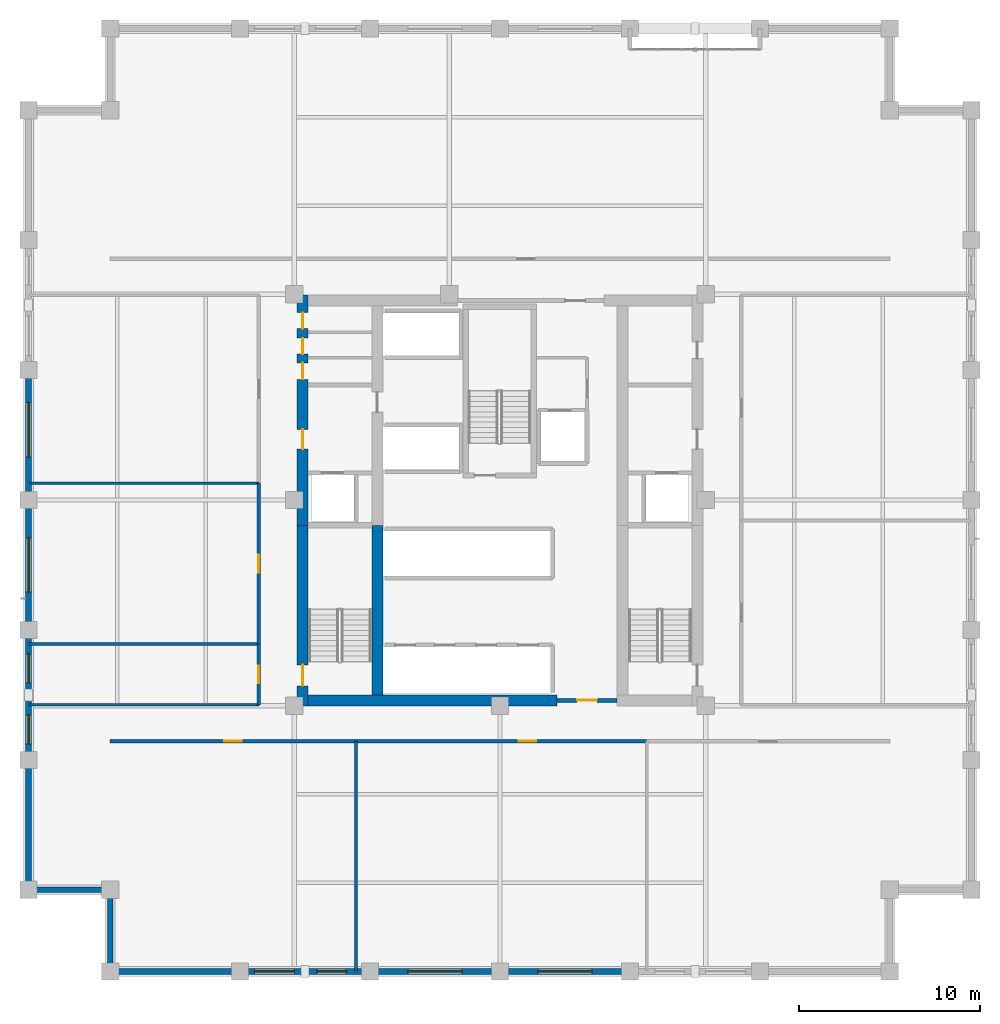
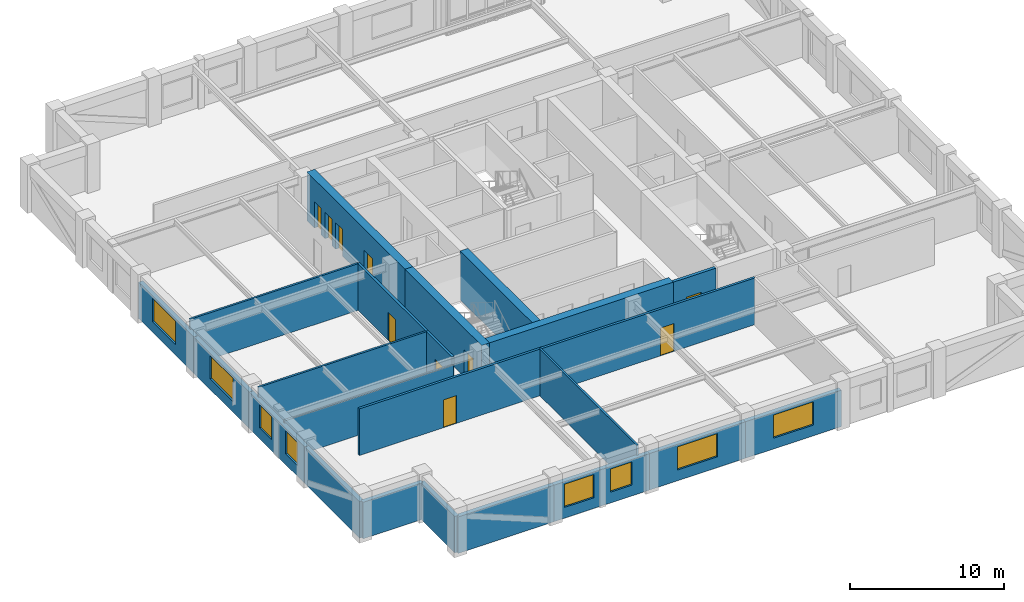
# One storey, part 6 of 11: 23 walls, 10 doors, 8 windows, 18 openings.
"""IFC4 building model written with IfcOpenShell, lengths in metres."""

from ifc_helpers import new_model, si_unit, direction, frame, frame_2d, origin, place, context, subcontext, project, spatial, rectangle, extrude, material, layer, layer_set, type_object, element, fill, save


model = new_model("IFC4")

# Units and contexts
model_context = context("Model", 3, precision=1e-05, world=origin(), true_north=direction((0.0, 1.0)))
body_context = subcontext(model_context, "Body", "Model", "MODEL_VIEW")
ifc_project = project(units=[si_unit("LENGTHUNIT", "METRE"), si_unit("AREAUNIT", "SQUARE_METRE"), si_unit("VOLUMEUNIT", "CUBIC_METRE"), si_unit("PLANEANGLEUNIT", "RADIAN"), si_unit("MASSUNIT", "GRAM", prefix="KILO")], contexts=[model_context])

# Site, building, storey
site_placement = place(None, origin())
site = spatial("IfcSite", under=ifc_project, at=site_placement, CompositionType="ELEMENT")
building_placement = place(site_placement, origin())
building = spatial("IfcBuilding", under=site, at=building_placement, Name="Nhamokura Convention Tower", CompositionType="ELEMENT")
storey_placement = place(building_placement, frame((0.0, 0.0, 141.39990234375)))
storey = spatial("IfcBuildingStorey", under=building, at=storey_placement, Name="L34", CompositionType="ELEMENT", Elevation=141.39990234375)

# Wall
ifc_material_1 = material(Name="Bronze-pigmented precast concrete C45/55", Category="concrete")
ifc_layer_1 = layer(ifc_material_1, 0.320068359375)
ifc_layer_set_1 = layer_set([ifc_layer_1], Name="BronzePrecastSpandrel_320")
wall_type_1 = type_object("IfcWallType", Name="BronzePrecastSpandrel_320", PredefinedType="USERDEFINED", material=ifc_layer_set_1)
wall_1_placement = place(storey_placement, frame((17.666748046875, 6.0, 0.0), z_axis=(0.0, 0.0, 1.0), x_axis=(-1.0, 0.0, 0.0)))
element("IfcWall", 1, at=wall_1_placement, inside=storey, type_object=wall_type_1, Name="L34 Braced-Bay Precast Wall SOUTH 0", ObjectType="SPANDREL_WALL", PredefinedType="USERDEFINED", context=body_context, shape_type="SweptSolid", body=[
    extrude(rectangle(XDim=7.166748046875, YDim=0.320068359375, at=frame_2d((3.58349609375, 0.0))), origin(), (0.0, 0.0, 1.0), 2.885009765625),
])

# Wall, openings, windows
wall_2_placement = place(storey_placement, frame((24.833251953125, 6.0, 0.0), z_axis=(0.0, 0.0, 1.0), x_axis=(-1.0, 0.0, 0.0)))
wall_2 = element("IfcWall", 2, at=wall_2_placement, inside=storey, type_object=wall_type_1, Name="L34 Masonry-Frame Wall SOUTH 1", ObjectType="SPANDREL_WALL", PredefinedType="USERDEFINED", context=body_context, shape_type="SweptSolid", body=[
    extrude(rectangle(XDim=7.16650390625, YDim=0.320068359375, at=frame_2d((3.583251953125, 0.0))), origin(), (0.0, 0.0, 1.0), 2.885009765625),
])
opening_1_placement = place(wall_2_placement, frame((1.316650390625, 0.0, 0.85009765625)))
opening_1 = element("IfcOpeningElement", 3, at=opening_1_placement, cuts=wall_2, Name="Opening W-11", PredefinedType="OPENING", context=body_context, shape_type="SweptSolid", body=[
    extrude(rectangle(XDim=1.60009765625, YDim=1.8349609375, at=frame_2d((0.800048828125, 0.91748046875))), frame((0.0, 0.169921875, 0.0), z_axis=(0.0, -1.0, 0.0), x_axis=(1.0, 0.0, 0.0)), (0.0, 0.0, 1.0), 0.340087890625),
])
opening_2_placement = place(wall_2_placement, frame((4.175048828125, 0.0, 0.85009765625)))
opening_2 = element("IfcOpeningElement", 4, at=opening_2_placement, cuts=wall_2, Name="Opening W-06", PredefinedType="OPENING", context=body_context, shape_type="SweptSolid", body=[
    extrude(rectangle(XDim=2.199951171875, YDim=1.8349609375, at=frame_2d((1.10009765625, 0.91748046875))), frame((0.0, 0.169921875, 0.0), z_axis=(0.0, -1.0, 0.0), x_axis=(1.0, 0.0, 0.0)), (0.0, 0.0, 1.0), 0.340087890625),
])
ifc_material_2 = material(Name="Solar-control bronze low-E double glass", Category="glass")
window_type_1 = type_object("IfcWindowType", Name="NotchCornerWindow_1600", PartitioningType="SINGLE_PANEL", PredefinedType="WINDOW", material=ifc_material_2)
window_1_placement = place(opening_1_placement, origin())
window_1 = element("IfcWindow", 5, at=window_1_placement, inside=storey, type_object=window_type_1, Name="L34 Facade Window SOUTH 1-1", OverallHeight=1.8349609375, OverallWidth=1.60009765625, PartitioningType="SINGLE_PANEL", PredefinedType="WINDOW", context=body_context, shape_type="SweptSolid", body=[
    extrude(rectangle(XDim=1.60009765625, YDim=1.8349609375, at=frame_2d((0.800048828125, 0.91748046875))), frame((0.0, 0.030029296875, 0.0), z_axis=(0.0, -1.0, 0.0), x_axis=(1.0, 0.0, 0.0)), (0.0, 0.0, 1.0), 0.06005859375),
])
fill(opening_1, window_1)
ifc_material_3 = material(Name="Solar-control bronze low-E double glass", Category="glass")
window_type_2 = type_object("IfcWindowType", Name="OfficeModuleWindow_Z2_2200", PartitioningType="SINGLE_PANEL", PredefinedType="WINDOW", material=ifc_material_3)
window_2_placement = place(opening_2_placement, origin())
window_2 = element("IfcWindow", 6, at=window_2_placement, inside=storey, type_object=window_type_2, Name="L34 Facade Window SOUTH 1-2", OverallHeight=1.8349609375, OverallWidth=2.199951171875, PartitioningType="SINGLE_PANEL", PredefinedType="WINDOW", context=body_context, shape_type="SweptSolid", body=[
    extrude(rectangle(XDim=2.199951171875, YDim=1.8349609375, at=frame_2d((1.10009765625, 0.91748046875))), frame((0.0, 0.030029296875, 0.0), z_axis=(0.0, -1.0, 0.0), x_axis=(1.0, 0.0, 0.0)), (0.0, 0.0, 1.0), 0.06005859375),
])
fill(opening_2, window_2)

# Wall, opening, window
wall_3_placement = place(storey_placement, frame((32.0, 6.0, 0.0), z_axis=(0.0, 0.0, 1.0), x_axis=(-1.0, 0.0, 0.0)))
wall_3 = element("IfcWall", 7, at=wall_3_placement, inside=storey, type_object=wall_type_1, Name="L34 Masonry-Frame Wall SOUTH 2", ObjectType="SPANDREL_WALL", PredefinedType="USERDEFINED", context=body_context, shape_type="SweptSolid", body=[
    extrude(rectangle(XDim=7.166748046875, YDim=0.320068359375, at=frame_2d((3.58349609375, 0.0))), origin(), (0.0, 0.0, 1.0), 2.885009765625),
])
opening_3_placement = place(wall_3_placement, frame((2.083251953125, 0.0, 0.85009765625)))
opening_3 = element("IfcOpeningElement", 8, at=opening_3_placement, cuts=wall_3, Name="Opening W-05", PredefinedType="OPENING", context=body_context, shape_type="SweptSolid", body=[
    extrude(rectangle(XDim=3.0, YDim=1.8349609375, at=frame_2d((1.5, 0.91748046875))), frame((0.0, 0.169921875, 0.0), z_axis=(0.0, -1.0, 0.0), x_axis=(1.0, 0.0, 0.0)), (0.0, 0.0, 1.0), 0.340087890625),
])
ifc_material_4 = material(Name="Solar-control bronze low-E double glass", Category="glass")
window_type_3 = type_object("IfcWindowType", Name="OfficeModuleWindow_Z2_3000", PartitioningType="DOUBLE_PANEL_VERTICAL", PredefinedType="WINDOW", material=ifc_material_4)
window_3_placement = place(opening_3_placement, origin())
window_3 = element("IfcWindow", 9, at=window_3_placement, inside=storey, type_object=window_type_3, Name="L34 Facade Window SOUTH 2", OverallHeight=1.8349609375, OverallWidth=3.0, PartitioningType="SINGLE_PANEL", PredefinedType="WINDOW", context=body_context, shape_type="SweptSolid", body=[
    extrude(rectangle(XDim=3.0, YDim=1.8349609375, at=frame_2d((1.5, 0.91748046875))), frame((0.0, 0.030029296875, 0.0), z_axis=(0.0, -1.0, 0.0), x_axis=(1.0, 0.0, 0.0)), (0.0, 0.0, 1.0), 0.06005859375),
])
fill(opening_3, window_3)

wall_4_placement = place(storey_placement, frame((39.166748046875, 6.0, 0.0), z_axis=(0.0, 0.0, 1.0), x_axis=(-1.0, 0.0, 0.0)))
wall_4 = element("IfcWall", 10, at=wall_4_placement, inside=storey, type_object=wall_type_1, Name="L34 Masonry-Frame Wall SOUTH 3", ObjectType="SPANDREL_WALL", PredefinedType="USERDEFINED", context=body_context, shape_type="SweptSolid", body=[
    extrude(rectangle(XDim=7.166748046875, YDim=0.320068359375, at=frame_2d((3.58349609375, 0.0))), origin(), (0.0, 0.0, 1.0), 2.885009765625),
])
opening_4_placement = place(wall_4_placement, frame((2.083251953125, 0.0, 0.85009765625)))
opening_4 = element("IfcOpeningElement", 11, at=opening_4_placement, cuts=wall_4, Name="Opening W-05", PredefinedType="OPENING", context=body_context, shape_type="SweptSolid", body=[
    extrude(rectangle(XDim=3.0, YDim=1.8349609375, at=frame_2d((1.5, 0.91748046875))), frame((0.0, 0.169921875, 0.0), z_axis=(0.0, -1.0, 0.0), x_axis=(1.0, 0.0, 0.0)), (0.0, 0.0, 1.0), 0.340087890625),
])
window_4_placement = place(opening_4_placement, origin())
window_4 = element("IfcWindow", 12, at=window_4_placement, inside=storey, type_object=window_type_3, Name="L34 Facade Window SOUTH 3", OverallHeight=1.8349609375, OverallWidth=3.0, PartitioningType="SINGLE_PANEL", PredefinedType="WINDOW", context=body_context, shape_type="SweptSolid", body=[
    extrude(rectangle(XDim=3.0, YDim=1.8349609375, at=frame_2d((1.5, 0.91748046875))), frame((0.0, 0.030029296875, 0.0), z_axis=(0.0, -1.0, 0.0), x_axis=(1.0, 0.0, 0.0)), (0.0, 0.0, 1.0), 0.06005859375),
])
fill(opening_4, window_4)

# Wall
wall_5_placement = place(storey_placement, frame((6.0, 10.5, 0.0), z_axis=(0.0, 0.0, 1.0), x_axis=(0.0, 1.0, 0.0)))
element("IfcWall", 13, at=wall_5_placement, inside=storey, type_object=wall_type_1, Name="L34 Braced-Bay Precast Wall WEST 0", ObjectType="SPANDREL_WALL", PredefinedType="USERDEFINED", context=body_context, shape_type="SweptSolid", body=[
    extrude(rectangle(XDim=7.166748046875, YDim=0.320068359375, at=frame_2d((3.58349609375, 0.0))), origin(), (0.0, 0.0, 1.0), 2.885009765625),
])

# Wall, openings, windows
wall_6_placement = place(storey_placement, frame((6.0, 17.666748046875, 0.0), z_axis=(0.0, 0.0, 1.0), x_axis=(0.0, 1.0, 0.0)))
wall_6 = element("IfcWall", 14, at=wall_6_placement, inside=storey, type_object=wall_type_1, Name="L34 Masonry-Frame Wall WEST 1", ObjectType="SPANDREL_WALL", PredefinedType="USERDEFINED", context=body_context, shape_type="SweptSolid", body=[
    extrude(rectangle(XDim=7.16650390625, YDim=0.320068359375, at=frame_2d((3.583251953125, 0.0))), origin(), (0.0, 0.0, 1.0), 2.885009765625),
])
opening_5_placement = place(wall_6_placement, frame((0.879150390625, 0.0, 0.85009765625)))
opening_5 = element("IfcOpeningElement", 15, at=opening_5_placement, cuts=wall_6, Name="Opening W-11", PredefinedType="OPENING", context=body_context, shape_type="SweptSolid", body=[
    extrude(rectangle(XDim=1.60009765625, YDim=1.8349609375, at=frame_2d((0.800048828125, 0.91748046875))), frame((0.0, 0.169921875, 0.0), z_axis=(0.0, -1.0, 0.0), x_axis=(1.0, 0.0, 0.0)), (0.0, 0.0, 1.0), 0.340087890625),
])
opening_6_placement = place(wall_6_placement, frame((4.25, 0.0, 0.85009765625)))
opening_6 = element("IfcOpeningElement", 16, at=opening_6_placement, cuts=wall_6, Name="Opening W-11", PredefinedType="OPENING", context=body_context, shape_type="SweptSolid", body=[
    extrude(rectangle(XDim=1.60009765625, YDim=1.8349609375, at=frame_2d((0.800048828125, 0.91748046875))), frame((0.0, 0.169921875, 0.0), z_axis=(0.0, -1.0, 0.0), x_axis=(1.0, 0.0, 0.0)), (0.0, 0.0, 1.0), 0.340087890625),
])
window_5_placement = place(opening_5_placement, origin())
window_5 = element("IfcWindow", 17, at=window_5_placement, inside=storey, type_object=window_type_1, Name="L34 Facade Window WEST 1-1", OverallHeight=1.8349609375, OverallWidth=1.60009765625, PartitioningType="SINGLE_PANEL", PredefinedType="WINDOW", context=body_context, shape_type="SweptSolid", body=[
    extrude(rectangle(XDim=1.60009765625, YDim=1.8349609375, at=frame_2d((0.800048828125, 0.91748046875))), frame((0.0, 0.030029296875, 0.0), z_axis=(0.0, -1.0, 0.0), x_axis=(1.0, 0.0, 0.0)), (0.0, 0.0, 1.0), 0.06005859375),
])
fill(opening_5, window_5)
window_6_placement = place(opening_6_placement, origin())
window_6 = element("IfcWindow", 18, at=window_6_placement, inside=storey, type_object=window_type_1, Name="L34 Facade Window WEST 1-2", OverallHeight=1.8349609375, OverallWidth=1.60009765625, PartitioningType="SINGLE_PANEL", PredefinedType="WINDOW", context=body_context, shape_type="SweptSolid", body=[
    extrude(rectangle(XDim=1.60009765625, YDim=1.8349609375, at=frame_2d((0.800048828125, 0.91748046875))), frame((0.0, 0.030029296875, 0.0), z_axis=(0.0, -1.0, 0.0), x_axis=(1.0, 0.0, 0.0)), (0.0, 0.0, 1.0), 0.06005859375),
])
fill(opening_6, window_6)

# Wall, opening, window
wall_7_placement = place(storey_placement, frame((6.0, 24.833251953125, 0.0), z_axis=(0.0, 0.0, 1.0), x_axis=(0.0, 1.0, 0.0)))
wall_7 = element("IfcWall", 19, at=wall_7_placement, inside=storey, type_object=wall_type_1, Name="L34 Masonry-Frame Wall WEST 2", ObjectType="SPANDREL_WALL", PredefinedType="USERDEFINED", context=body_context, shape_type="SweptSolid", body=[
    extrude(rectangle(XDim=7.166748046875, YDim=0.320068359375, at=frame_2d((3.58349609375, 0.0))), origin(), (0.0, 0.0, 1.0), 2.885009765625),
])
opening_7_placement = place(wall_7_placement, frame((2.083251953125, 0.0, 0.85009765625)))
opening_7 = element("IfcOpeningElement", 20, at=opening_7_placement, cuts=wall_7, Name="Opening W-05", PredefinedType="OPENING", context=body_context, shape_type="SweptSolid", body=[
    extrude(rectangle(XDim=3.0, YDim=1.8349609375, at=frame_2d((1.5, 0.91748046875))), frame((0.0, 0.169921875, 0.0), z_axis=(0.0, -1.0, 0.0), x_axis=(1.0, 0.0, 0.0)), (0.0, 0.0, 1.0), 0.340087890625),
])
window_7_placement = place(opening_7_placement, origin())
window_7 = element("IfcWindow", 21, at=window_7_placement, inside=storey, type_object=window_type_3, Name="L34 Facade Window WEST 2", OverallHeight=1.8349609375, OverallWidth=3.0, PartitioningType="SINGLE_PANEL", PredefinedType="WINDOW", context=body_context, shape_type="SweptSolid", body=[
    extrude(rectangle(XDim=3.0, YDim=1.8349609375, at=frame_2d((1.5, 0.91748046875))), frame((0.0, 0.030029296875, 0.0), z_axis=(0.0, -1.0, 0.0), x_axis=(1.0, 0.0, 0.0)), (0.0, 0.0, 1.0), 0.06005859375),
])
fill(opening_7, window_7)

wall_8_placement = place(storey_placement, frame((6.0, 32.0, 0.0), z_axis=(0.0, 0.0, 1.0), x_axis=(0.0, 1.0, 0.0)))
wall_8 = element("IfcWall", 22, at=wall_8_placement, inside=storey, type_object=wall_type_1, Name="L34 Masonry-Frame Wall WEST 3", ObjectType="SPANDREL_WALL", PredefinedType="USERDEFINED", context=body_context, shape_type="SweptSolid", body=[
    extrude(rectangle(XDim=7.166748046875, YDim=0.320068359375, at=frame_2d((3.58349609375, 0.0))), origin(), (0.0, 0.0, 1.0), 2.885009765625),
])
opening_8_placement = place(wall_8_placement, frame((2.38330078125, 0.0, 0.85009765625)))
opening_8 = element("IfcOpeningElement", 23, at=opening_8_placement, cuts=wall_8, Name="Opening W-05", PredefinedType="OPENING", context=body_context, shape_type="SweptSolid", body=[
    extrude(rectangle(XDim=3.0, YDim=1.8349609375, at=frame_2d((1.5, 0.91748046875))), frame((0.0, 0.169921875, 0.0), z_axis=(0.0, -1.0, 0.0), x_axis=(1.0, 0.0, 0.0)), (0.0, 0.0, 1.0), 0.340087890625),
])
window_8_placement = place(opening_8_placement, origin())
window_8 = element("IfcWindow", 24, at=window_8_placement, inside=storey, type_object=window_type_3, Name="L34 Facade Window WEST 3", OverallHeight=1.8349609375, OverallWidth=3.0, PartitioningType="SINGLE_PANEL", PredefinedType="WINDOW", context=body_context, shape_type="SweptSolid", body=[
    extrude(rectangle(XDim=3.0, YDim=1.8349609375, at=frame_2d((1.5, 0.91748046875))), frame((0.0, 0.030029296875, 0.0), z_axis=(0.0, -1.0, 0.0), x_axis=(1.0, 0.0, 0.0)), (0.0, 0.0, 1.0), 0.06005859375),
])
fill(opening_8, window_8)

# Walls
for number, where, z_axis, x_axis, name in (
    (25, (10.5, 6.0, 0.0), (0.0, 0.0, 1.0), (0.0, 1.0, 0.0), "L34 Notched Corner Wall SW1"),
    (26, (10.5, 10.5, 0.0), (0.0, 0.0, 1.0), (-1.0, 0.0, 0.0), "L34 Notched Corner Wall SW2"),
):
    element("IfcWall", number, at=place(storey_placement, frame(where, z_axis=z_axis, x_axis=x_axis)), inside=storey, type_object=wall_type_1, Name=name, ObjectType="SPANDREL_WALL", PredefinedType="USERDEFINED", context=body_context, shape_type="SweptSolid", body=[
        extrude(rectangle(XDim=4.5, YDim=0.320068359375, at=frame_2d((2.25, 0.0))), origin(), (0.0, 0.0, 1.0), 2.885009765625),
    ])

# Wall, opening, door
ifc_material_5 = material(Name="Concrete C60/75", Category="concrete")
ifc_layer_2 = layer(ifc_material_5, 0.60009765625)
ifc_layer_set_2 = layer_set([ifc_layer_2], Name="CoreShearWall_600")
wall_type_2 = type_object("IfcWallType", Name="CoreShearWall_600", PredefinedType="SHEAR", material=ifc_layer_set_2)
wall_9_placement = place(storey_placement, frame((21.110107421875, 20.64990234375, 0.0), z_axis=(0.0, 0.0, 1.0), x_axis=(0.0, 1.0, 0.0)))
wall_9 = element("IfcWall", 27, at=wall_9_placement, inside=storey, type_object=wall_type_2, Name="L34 Core Shear Wall CW-WS", PredefinedType="SHEAR", context=body_context, shape_type="SweptSolid", body=[
    extrude(rectangle(XDim=9.9501953125, YDim=0.60009765625, at=frame_2d((4.97509765625, 0.0))), origin(), (0.0, 0.0, 1.0), 3.85009765625),
])
opening_9_placement = place(wall_9_placement, frame((1.10009765625, 0.0, 0.0)))
opening_9 = element("IfcOpeningElement", 28, at=opening_9_placement, cuts=wall_9, Name="Opening D-04", PredefinedType="OPENING", context=body_context, shape_type="SweptSolid", body=[
    extrude(rectangle(XDim=1.14990234375, YDim=2.14990234375, at=frame_2d((0.574951171875, 1.074951171875))), frame((0.0, 0.31005859375, 0.0), z_axis=(0.0, -1.0, 0.0), x_axis=(1.0, 0.0, 0.0)), (0.0, 0.0, 1.0), 0.6201171875),
])
ifc_material_6 = material(Name="Fire-rated steel door", Category="steel")
door_type_1 = type_object("IfcDoorType", Name="StairSmokeDoor_1150", OperationType="NOTDEFINED", PredefinedType="DOOR", material=ifc_material_6)
door_1_placement = place(opening_9_placement, origin())
door_1 = element("IfcDoor", 29, at=door_1_placement, inside=storey, type_object=door_type_1, Name="L34 Core Door INT-L34-D-ST01", OperationType="SINGLE_SWING_LEFT", OverallHeight=2.14990234375, OverallWidth=1.14990234375, PredefinedType="DOOR", context=body_context, shape_type="SweptSolid", body=[
    extrude(rectangle(XDim=1.14990234375, YDim=2.14990234375, at=frame_2d((0.574951171875, 1.074951171875))), frame((0.0, 0.02490234375, 0.0), z_axis=(0.0, -1.0, 0.0), x_axis=(1.0, 0.0, 0.0)), (0.0, 0.0, 1.0), 0.050048828125),
])
fill(opening_9, door_1)

# Wall, openings, doors
wall_10_placement = place(storey_placement, frame((21.110107421875, 30.60009765625, 0.0), z_axis=(0.0, 0.0, 1.0), x_axis=(0.0, 1.0, 0.0)))
wall_10 = element("IfcWall", 30, at=wall_10_placement, inside=storey, type_object=wall_type_2, Name="L34 Core Shear Wall CW-WN", PredefinedType="SHEAR", context=body_context, shape_type="SweptSolid", body=[
    extrude(rectangle(XDim=12.699951171875, YDim=0.60009765625, at=frame_2d((6.35009765625, 0.0))), origin(), (0.0, 0.0, 1.0), 3.85009765625),
])
opening_10_placement = place(wall_10_placement, frame((4.199951171875, 0.0, 0.0)))
opening_10 = element("IfcOpeningElement", 31, at=opening_10_placement, cuts=wall_10, Name="Opening D-05", PredefinedType="OPENING", context=body_context, shape_type="SweptSolid", body=[
    extrude(rectangle(XDim=1.10009765625, YDim=2.14990234375, at=frame_2d((0.550048828125, 1.074951171875))), frame((0.0, 0.31005859375, 0.0), z_axis=(0.0, -1.0, 0.0), x_axis=(1.0, 0.0, 0.0)), (0.0, 0.0, 1.0), 0.6201171875),
])
opening_11_placement = place(wall_10_placement, frame((8.050048828125, 0.0, 0.0)))
opening_11 = element("IfcOpeningElement", 32, at=opening_11_placement, cuts=wall_10, Name="Opening D-10", PredefinedType="OPENING", context=body_context, shape_type="SweptSolid", body=[
    extrude(rectangle(XDim=0.919921875, YDim=2.10009765625, at=frame_2d((0.4599609375, 1.050048828125))), frame((0.0, 0.31005859375, 0.0), z_axis=(0.0, -1.0, 0.0), x_axis=(1.0, 0.0, 0.0)), (0.0, 0.0, 1.0), 0.6201171875),
])
opening_12_placement = place(wall_10_placement, frame((9.449951171875, 0.0, 0.0)))
opening_12 = element("IfcOpeningElement", 33, at=opening_12_placement, cuts=wall_10, Name="Opening D-11", PredefinedType="OPENING", context=body_context, shape_type="SweptSolid", body=[
    extrude(rectangle(XDim=0.8798828125, YDim=2.10009765625, at=frame_2d((0.43994140625, 1.050048828125))), frame((0.0, 0.31005859375, 0.0), z_axis=(0.0, -1.0, 0.0), x_axis=(1.0, 0.0, 0.0)), (0.0, 0.0, 1.0), 0.6201171875),
])
opening_13_placement = place(wall_10_placement, frame((10.85009765625, 0.0, 0.0)))
opening_13 = element("IfcOpeningElement", 34, at=opening_13_placement, cuts=wall_10, Name="Opening D-11", PredefinedType="OPENING", context=body_context, shape_type="SweptSolid", body=[
    extrude(rectangle(XDim=0.8798828125, YDim=2.10009765625, at=frame_2d((0.43994140625, 1.050048828125))), frame((0.0, 0.31005859375, 0.0), z_axis=(0.0, -1.0, 0.0), x_axis=(1.0, 0.0, 0.0)), (0.0, 0.0, 1.0), 0.6201171875),
])
ifc_material_7 = material(Name="Solid oak hardwood", Category="wood")
door_type_2 = type_object("IfcDoorType", Name="AccessibleWCDoor_920", OperationType="NOTDEFINED", PredefinedType="DOOR", material=ifc_material_7)
door_2_placement = place(opening_11_placement, origin())
door_2 = element("IfcDoor", 35, at=door_2_placement, inside=storey, type_object=door_type_2, Name="L34 Core Door INT-L34-D-AWC", OperationType="SINGLE_SWING_LEFT", OverallHeight=2.10009765625, OverallWidth=0.919921875, PredefinedType="DOOR", context=body_context, shape_type="SweptSolid", body=[
    extrude(rectangle(XDim=0.919921875, YDim=2.10009765625, at=frame_2d((0.4599609375, 1.050048828125))), frame((0.0, 0.02490234375, 0.0), z_axis=(0.0, -1.0, 0.0), x_axis=(1.0, 0.0, 0.0)), (0.0, 0.0, 1.0), 0.050048828125),
])
fill(opening_11, door_2)
ifc_material_8 = material(Name="Solid oak hardwood", Category="wood")
door_type_3 = type_object("IfcDoorType", Name="BathroomDoor_880", OperationType="NOTDEFINED", PredefinedType="DOOR", material=ifc_material_8)
door_3_placement = place(opening_12_placement, origin())
door_3 = element("IfcDoor", 36, at=door_3_placement, inside=storey, type_object=door_type_3, Name="L34 Core Door INT-L34-D-CLN", OperationType="SINGLE_SWING_RIGHT", OverallHeight=2.10009765625, OverallWidth=0.8798828125, PredefinedType="DOOR", context=body_context, shape_type="SweptSolid", body=[
    extrude(rectangle(XDim=0.8798828125, YDim=2.10009765625, at=frame_2d((0.43994140625, 1.050048828125))), frame((0.0, 0.02490234375, 0.0), z_axis=(0.0, -1.0, 0.0), x_axis=(1.0, 0.0, 0.0)), (0.0, 0.0, 1.0), 0.050048828125),
])
fill(opening_12, door_3)
door_4_placement = place(opening_13_placement, origin())
door_4 = element("IfcDoor", 37, at=door_4_placement, inside=storey, type_object=door_type_3, Name="L34 Core Door INT-L34-D-PNT", OperationType="SINGLE_SWING_LEFT", OverallHeight=2.10009765625, OverallWidth=0.8798828125, PredefinedType="DOOR", context=body_context, shape_type="SweptSolid", body=[
    extrude(rectangle(XDim=0.8798828125, YDim=2.10009765625, at=frame_2d((0.43994140625, 1.050048828125))), frame((0.0, 0.02490234375, 0.0), z_axis=(0.0, -1.0, 0.0), x_axis=(1.0, 0.0, 0.0)), (0.0, 0.0, 1.0), 0.050048828125),
])
fill(opening_13, door_4)
ifc_material_9 = material(Name="Fire-rated steel door", Category="steel")
door_type_4 = type_object("IfcDoorType", Name="FireLobbyDoor_1100", OperationType="NOTDEFINED", PredefinedType="DOOR", material=ifc_material_9)
door_5_placement = place(opening_10_placement, origin())
door_5 = element("IfcDoor", 38, at=door_5_placement, inside=storey, type_object=door_type_4, Name="L34 Core Door INT-L34-D-FFLW", OperationType="SINGLE_SWING_RIGHT", OverallHeight=2.14990234375, OverallWidth=1.10009765625, PredefinedType="DOOR", context=body_context, shape_type="SweptSolid", body=[
    extrude(rectangle(XDim=1.10009765625, YDim=2.14990234375, at=frame_2d((0.550048828125, 1.074951171875))), frame((0.0, 0.02490234375, 0.0), z_axis=(0.0, -1.0, 0.0), x_axis=(1.0, 0.0, 0.0)), (0.0, 0.0, 1.0), 0.050048828125),
])
fill(opening_10, door_5)

# Walls
wall_11_placement = place(storey_placement, frame((21.409912109375, 20.949951171875, 0.0), z_axis=(0.0, 0.0, 1.0), x_axis=(1.0, 0.0, 0.0)))
element("IfcWall", 39, at=wall_11_placement, inside=storey, type_object=wall_type_2, Name="L34 Core Shear Wall CW-S1", PredefinedType="SHEAR", context=body_context, shape_type="SweptSolid", body=[
    extrude(rectangle(XDim=13.739990234375, YDim=0.60009765625, at=frame_2d((6.8701171875, 0.0))), origin(), (0.0, 0.0, 1.0), 3.85009765625),
])
wall_12_placement = place(storey_placement, frame((25.239990234375, 21.25, 0.0), z_axis=(0.0, 0.0, 1.0), x_axis=(0.0, 1.0, 0.0)))
element("IfcWall", 40, at=wall_12_placement, inside=storey, type_object=wall_type_2, Name="L34 Core Shear Wall CW-IWS", PredefinedType="SHEAR", context=body_context, shape_type="SweptSolid", body=[
    extrude(rectangle(XDim=9.35009765625, YDim=0.60009765625, at=frame_2d((4.675048828125, 0.0))), origin(), (0.0, 0.0, 1.0), 3.85009765625),
])

# Wall, opening, door
ifc_material_10 = material(Name="Fire-rated gypsum and masonry partition", Category="masonry")
ifc_layer_3 = layer(ifc_material_10, 0.179931640625)
ifc_layer_set_3 = layer_set([ifc_layer_3], Name="CorridorRatedWall_180")
wall_type_3 = type_object("IfcWallType", Name="CorridorRatedWall_180", PredefinedType="STANDARD", material=ifc_layer_set_3)
wall_13_placement = place(storey_placement, frame((10.5, 18.699951171875, 0.0), z_axis=(0.0, 0.0, 1.0), x_axis=(1.0, 0.0, 0.0)))
wall_13 = element("IfcWall", 41, at=wall_13_placement, inside=storey, type_object=wall_type_3, Name="L34 Wall INT-L34-CW-S00", PredefinedType="STANDARD", context=body_context, shape_type="SweptSolid", body=[
    extrude(rectangle(XDim=13.558349609375, YDim=0.179931640625, at=frame_2d((6.779296875, 0.0))), origin(), (0.0, 0.0, 1.0), 3.68505859375),
])
opening_14_placement = place(wall_13_placement, frame((6.279296875, 0.0, 0.0)))
opening_14 = element("IfcOpeningElement", 42, at=opening_14_placement, cuts=wall_13, Name="Opening D-08", PredefinedType="OPENING", context=body_context, shape_type="SweptSolid", body=[
    extrude(rectangle(XDim=0.97998046875, YDim=2.199951171875, at=frame_2d((0.489990234375, 1.10009765625))), frame((0.0, 0.099853515625, 0.0), z_axis=(0.0, -1.0, 0.0), x_axis=(1.0, 0.0, 0.0)), (0.0, 0.0, 1.0), 0.199951171875),
])
ifc_material_11 = material(Name="Solid oak hardwood", Category="wood")
door_type_5 = type_object("IfcDoorType", Name="OfficeEntryDoor_980", OperationType="NOTDEFINED", PredefinedType="DOOR", material=ifc_material_11)
door_6_placement = place(opening_14_placement, origin())
door_6 = element("IfcDoor", 43, at=door_6_placement, inside=storey, type_object=door_type_5, Name="L34 Training Classroom S01 Door", OperationType="SINGLE_SWING_LEFT", OverallHeight=2.199951171875, OverallWidth=0.97998046875, PredefinedType="DOOR", context=body_context, shape_type="SweptSolid", body=[
    extrude(rectangle(XDim=0.97998046875, YDim=2.199951171875, at=frame_2d((0.489990234375, 1.10009765625))), frame((0.0, 0.02490234375, 0.0), z_axis=(0.0, -1.0, 0.0), x_axis=(1.0, 0.0, 0.0)), (0.0, 0.0, 1.0), 0.050048828125),
])
fill(opening_14, door_6)

wall_14_placement = place(storey_placement, frame((24.058349609375, 18.699951171875, 0.0), z_axis=(0.0, 0.0, 1.0), x_axis=(1.0, 0.0, 0.0)))
wall_14 = element("IfcWall", 44, at=wall_14_placement, inside=storey, type_object=wall_type_3, Name="L34 Wall INT-L34-CW-S01", PredefinedType="STANDARD", context=body_context, shape_type="SweptSolid", body=[
    extrude(rectangle(XDim=16.033447265625, YDim=0.179931640625, at=frame_2d((8.0166015625, 0.0))), origin(), (0.0, 0.0, 1.0), 3.68505859375),
])
opening_15_placement = place(wall_14_placement, frame((8.966796875, 0.0, 0.0)))
opening_15 = element("IfcOpeningElement", 45, at=opening_15_placement, cuts=wall_14, Name="Opening D-08", PredefinedType="OPENING", context=body_context, shape_type="SweptSolid", body=[
    extrude(rectangle(XDim=0.97998046875, YDim=2.199951171875, at=frame_2d((0.489990234375, 1.10009765625))), frame((0.0, 0.099853515625, 0.0), z_axis=(0.0, -1.0, 0.0), x_axis=(1.0, 0.0, 0.0)), (0.0, 0.0, 1.0), 0.199951171875),
])
door_7_placement = place(opening_15_placement, origin())
door_7 = element("IfcDoor", 46, at=door_7_placement, inside=storey, type_object=door_type_5, Name="L34 Training Classroom S02 Door", OperationType="SINGLE_SWING_RIGHT", OverallHeight=2.199951171875, OverallWidth=0.97998046875, PredefinedType="DOOR", context=body_context, shape_type="SweptSolid", body=[
    extrude(rectangle(XDim=0.97998046875, YDim=2.199951171875, at=frame_2d((0.489990234375, 1.10009765625))), frame((0.0, 0.02490234375, 0.0), z_axis=(0.0, -1.0, 0.0), x_axis=(1.0, 0.0, 0.0)), (0.0, 0.0, 1.0), 0.050048828125),
])
fill(opening_15, door_7)

wall_15_placement = place(storey_placement, frame((18.699951171875, 20.699951171875, 0.0), z_axis=(0.0, 0.0, 1.0), x_axis=(0.0, 1.0, 0.0)))
wall_15 = element("IfcWall", 47, at=wall_15_placement, inside=storey, type_object=wall_type_3, Name="L34 Wall INT-L34-CW-W00", PredefinedType="STANDARD", context=body_context, shape_type="SweptSolid", body=[
    extrude(rectangle(XDim=3.3583984375, YDim=0.179931640625, at=frame_2d((1.67919921875, 0.0))), origin(), (0.0, 0.0, 1.0), 3.68505859375),
])
opening_16_placement = place(wall_15_placement, frame((1.17919921875, 0.0, 0.0)))
opening_16 = element("IfcOpeningElement", 48, at=opening_16_placement, cuts=wall_15, Name="Opening D-08", PredefinedType="OPENING", context=body_context, shape_type="SweptSolid", body=[
    extrude(rectangle(XDim=0.97998046875, YDim=2.199951171875, at=frame_2d((0.489990234375, 1.10009765625))), frame((0.0, 0.099853515625, 0.0), z_axis=(0.0, -1.0, 0.0), x_axis=(1.0, 0.0, 0.0)), (0.0, 0.0, 1.0), 0.199951171875),
])
door_8_placement = place(opening_16_placement, origin())
door_8 = element("IfcDoor", 49, at=door_8_placement, inside=storey, type_object=door_type_5, Name="L34 Computer Laboratory W01 Door", OperationType="SINGLE_SWING_LEFT", OverallHeight=2.199951171875, OverallWidth=0.97998046875, PredefinedType="DOOR", context=body_context, shape_type="SweptSolid", body=[
    extrude(rectangle(XDim=0.97998046875, YDim=2.199951171875, at=frame_2d((0.489990234375, 1.10009765625))), frame((0.0, 0.02490234375, 0.0), z_axis=(0.0, -1.0, 0.0), x_axis=(1.0, 0.0, 0.0)), (0.0, 0.0, 1.0), 0.050048828125),
])
fill(opening_16, door_8)

wall_16_placement = place(storey_placement, frame((18.699951171875, 24.058349609375, 0.0), z_axis=(0.0, 0.0, 1.0), x_axis=(0.0, 1.0, 0.0)))
wall_16 = element("IfcWall", 50, at=wall_16_placement, inside=storey, type_object=wall_type_3, Name="L34 Wall INT-L34-CW-W01", PredefinedType="STANDARD", context=body_context, shape_type="SweptSolid", body=[
    extrude(rectangle(XDim=8.86669921875, YDim=0.179931640625, at=frame_2d((4.433349609375, 0.0))), origin(), (0.0, 0.0, 1.0), 3.68505859375),
])
opening_17_placement = place(wall_16_placement, frame((3.933349609375, 0.0, 0.0)))
opening_17 = element("IfcOpeningElement", 51, at=opening_17_placement, cuts=wall_16, Name="Opening D-08", PredefinedType="OPENING", context=body_context, shape_type="SweptSolid", body=[
    extrude(rectangle(XDim=0.97998046875, YDim=2.199951171875, at=frame_2d((0.489990234375, 1.10009765625))), frame((0.0, 0.099853515625, 0.0), z_axis=(0.0, -1.0, 0.0), x_axis=(1.0, 0.0, 0.0)), (0.0, 0.0, 1.0), 0.199951171875),
])
door_9_placement = place(opening_17_placement, origin())
door_9 = element("IfcDoor", 52, at=door_9_placement, inside=storey, type_object=door_type_5, Name="L34 Meeting Room W02 Door", OperationType="SINGLE_SWING_RIGHT", OverallHeight=2.199951171875, OverallWidth=0.97998046875, PredefinedType="DOOR", context=body_context, shape_type="SweptSolid", body=[
    extrude(rectangle(XDim=0.97998046875, YDim=2.199951171875, at=frame_2d((0.489990234375, 1.10009765625))), frame((0.0, 0.02490234375, 0.0), z_axis=(0.0, -1.0, 0.0), x_axis=(1.0, 0.0, 0.0)), (0.0, 0.0, 1.0), 0.050048828125),
])
fill(opening_17, door_9)

ifc_material_12 = material(Name="Autoclaved concrete blockwork", Category="masonry")
ifc_layer_4 = layer(ifc_material_12, 0.219970703125)
ifc_layer_set_4 = layer_set([ifc_layer_4], Name="FireLobbyWall_220")
wall_type_4 = type_object("IfcWallType", Name="FireLobbyWall_220", PredefinedType="STANDARD", material=ifc_layer_set_4)
wall_17_placement = place(storey_placement, frame((35.14990234375, 20.949951171875, 0.0), z_axis=(0.0, 0.0, 1.0), x_axis=(1.0, 0.0, 0.0)))
wall_17 = element("IfcWall", 53, at=wall_17_placement, inside=storey, type_object=wall_type_4, Name="L34 Wall INT-L34-SPORT-S", PredefinedType="STANDARD", context=body_context, shape_type="SweptSolid", body=[
    extrude(rectangle(XDim=3.300048828125, YDim=0.219970703125, at=frame_2d((1.64990234375, 0.0))), origin(), (0.0, 0.0, 1.0), 3.68505859375),
])
opening_18_placement = place(wall_17_placement, frame((1.10009765625, 0.0, 0.0)))
opening_18 = element("IfcOpeningElement", 54, at=opening_18_placement, cuts=wall_17, Name="Opening D-05", PredefinedType="OPENING", context=body_context, shape_type="SweptSolid", body=[
    extrude(rectangle(XDim=1.10009765625, YDim=2.14990234375, at=frame_2d((0.550048828125, 1.074951171875))), frame((0.0, 0.119873046875, 0.0), z_axis=(0.0, -1.0, 0.0), x_axis=(1.0, 0.0, 0.0)), (0.0, 0.0, 1.0), 0.239990234375),
])
door_10_placement = place(opening_18_placement, origin())
door_10 = element("IfcDoor", 55, at=door_10_placement, inside=storey, type_object=door_type_4, Name="L34 South Core Lobby Portal Door", OperationType="SINGLE_SWING_LEFT", OverallHeight=2.14990234375, OverallWidth=1.10009765625, PredefinedType="DOOR", context=body_context, shape_type="SweptSolid", body=[
    extrude(rectangle(XDim=1.10009765625, YDim=2.14990234375, at=frame_2d((0.550048828125, 1.074951171875))), frame((0.0, 0.02490234375, 0.0), z_axis=(0.0, -1.0, 0.0), x_axis=(1.0, 0.0, 0.0)), (0.0, 0.0, 1.0), 0.050048828125),
])
fill(opening_18, door_10)

# Walls
ifc_material_13 = material(Name="Acoustic gypsum stud partition", Category="masonry")
ifc_layer_5 = layer(ifc_material_13, 0.14990234375)
ifc_layer_set_5 = layer_set([ifc_layer_5], Name="InteriorPartition_150")
wall_type_5 = type_object("IfcWallType", Name="InteriorPartition_150", PredefinedType="STANDARD", material=ifc_layer_set_5)
wall_18_placement = place(storey_placement, frame((24.058349609375, 6.06005859375, 0.0), z_axis=(0.0, 0.0, 1.0), x_axis=(0.0, 1.0, 0.0)))
element("IfcWall", 56, at=wall_18_placement, inside=storey, type_object=wall_type_5, Name="L34 Wall INT-L34-RW-S01", PredefinedType="STANDARD", context=body_context, shape_type="SweptSolid", body=[
    extrude(rectangle(XDim=12.639892578125, YDim=0.14990234375, at=frame_2d((6.31982421875, 0.0))), origin(), (0.0, 0.0, 1.0), 3.68505859375),
])
wall_19_placement = place(storey_placement, frame((6.06005859375, 20.699951171875, 0.0), z_axis=(0.0, 0.0, 1.0), x_axis=(1.0, 0.0, 0.0)))
element("IfcWall", 57, at=wall_19_placement, inside=storey, type_object=wall_type_5, Name="L34 Wall INT-L34-RWB-W", PredefinedType="STANDARD", context=body_context, shape_type="SweptSolid", body=[
    extrude(rectangle(XDim=12.639892578125, YDim=0.14990234375, at=frame_2d((6.31982421875, 0.0))), origin(), (0.0, 0.0, 1.0), 3.065185546875),
])
for number, where, z_axis, x_axis, name in (
    (58, (6.06005859375, 24.058349609375, 0.0), (0.0, 0.0, 1.0), (1.0, 0.0, 0.0), "L34 Wall INT-L34-RW-W01"),
    (59, (6.06005859375, 32.925048828125, 0.0), (0.0, 0.0, 1.0), (1.0, 0.0, 0.0), "L34 Wall INT-L34-RW-W02"),
):
    element("IfcWall", number, at=place(storey_placement, frame(where, z_axis=z_axis, x_axis=x_axis)), inside=storey, type_object=wall_type_5, Name=name, PredefinedType="STANDARD", context=body_context, shape_type="SweptSolid", body=[
        extrude(rectangle(XDim=12.639892578125, YDim=0.14990234375, at=frame_2d((6.31982421875, 0.0))), origin(), (0.0, 0.0, 1.0), 3.68505859375),
    ])

save(model, "model.ifc")
